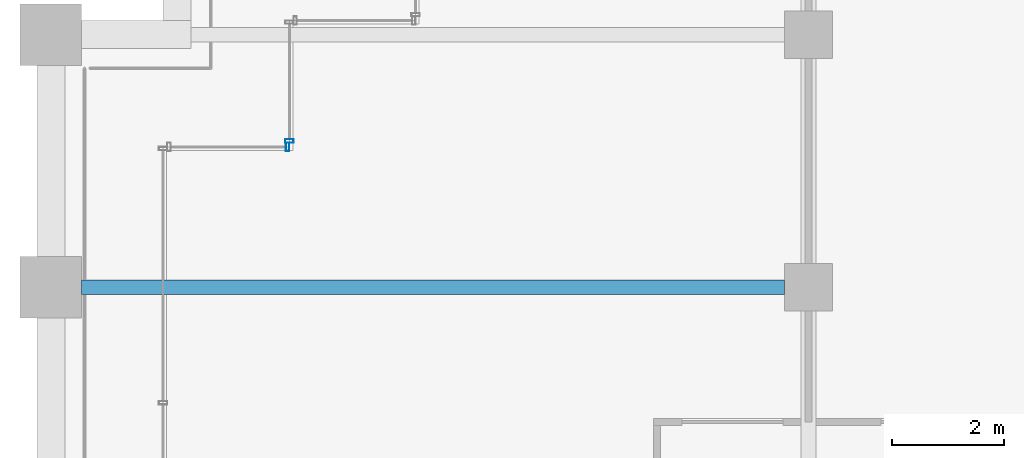
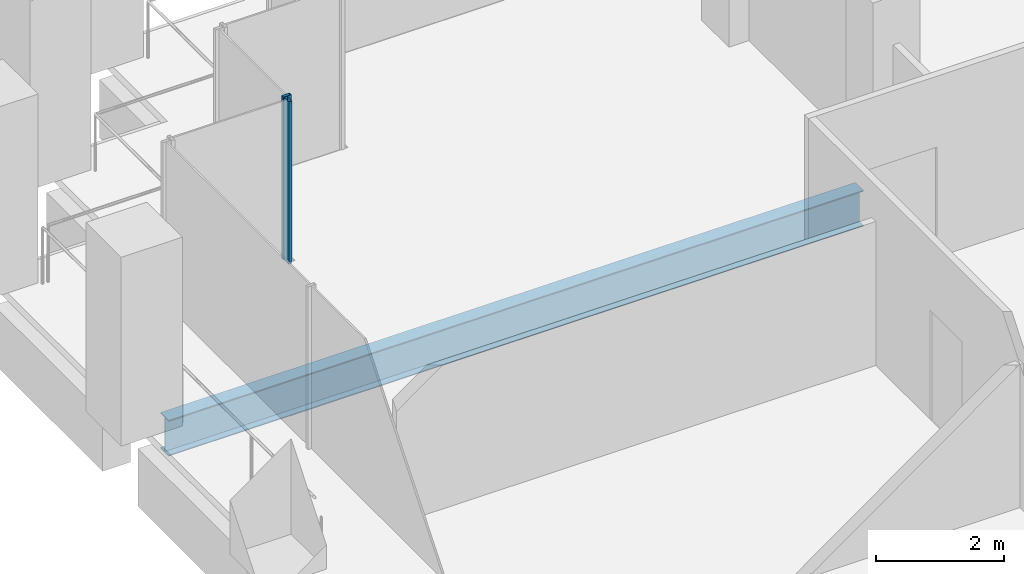
# One storey, part 24 of 56: 2 members, 1 beam, 2 elements without a shape of their own.
"""IFC4 building model written with IfcOpenShell, lengths in metres."""

from ifc_helpers import new_model, si_unit, direction, frame, origin, origin_2d, place, context, subcontext, project, spatial, hollow_rectangle, i_section, extrude, material, material_profile, profile_set, type_object, element, aggregate, save


model = new_model("IFC4")

# Units and contexts
model_context = context("Model", 3, precision=1e-05, world=origin(), true_north=direction((0.0, 1.0)))
body_context = subcontext(model_context, "Body", "Model", "MODEL_VIEW")
ifc_project = project(units=[si_unit("LENGTHUNIT", "METRE"), si_unit("AREAUNIT", "SQUARE_METRE"), si_unit("VOLUMEUNIT", "CUBIC_METRE"), si_unit("PLANEANGLEUNIT", "RADIAN"), si_unit("MASSUNIT", "GRAM", prefix="KILO")], contexts=[model_context])

# Site, building, storey
site_placement = place(None, origin())
site = spatial("IfcSite", under=ifc_project, at=site_placement, CompositionType="ELEMENT")
building_placement = place(site_placement, origin())
building = spatial("IfcBuilding", under=site, at=building_placement, Name="Altepetl Exchange Towers", CompositionType="ELEMENT")
storey_placement = place(building_placement, frame((0.0, 0.0, 54.60009765625)))
storey = spatial("IfcBuildingStorey", under=building, at=storey_placement, Name="L12", CompositionType="ELEMENT", Elevation=54.60009765625)

# Beam
ifc_material_1 = material(Name="Steel S355", Category="steel")
ifc_material_profile_1 = material_profile(ifc_material_1, i_section(OverallWidth=0.25390625, OverallDepth=0.68408203125, WebThickness=0.012451171875, FlangeThickness=0.018798828125, at=origin_2d()), Name="W27X94")
ifc_profile_set_1 = profile_set([ifc_material_profile_1], Name="Steel S355")
beam_type = type_object("IfcBeamType", Name="Floor beam W27X94", PredefinedType="BEAM", material=ifc_profile_set_1)
beam_placement = place(storey_placement, frame((27.550048828125, 63.0, -0.4921875), z_axis=(1.0, 0.0, 0.0), x_axis=(0.0, 1.0, 0.0)))
element("IfcBeam", 1, at=beam_placement, inside=storey, type_object=beam_type, Name="bm:A:L12:022", PredefinedType="BEAM", context=body_context, shape_type="SweptSolid", body=[
    extrude(i_section(OverallWidth=0.25390625, OverallDepth=0.68408203125, WebThickness=0.012451171875, FlangeThickness=0.018798828125, at=origin_2d()), origin(), (0.0, 0.0, 1.0), 12.52490234375),
])

# Curtain wall, member
ifc_material_2 = material(Name="Aluminium 6063-T6 glazing", Category="aluminium")
curtain_wall_type = type_object("IfcCurtainWallType", Name="Loggia glazing system", PredefinedType="NOTDEFINED", material=ifc_material_2)
curtain_wall_1_placement = place(storey_placement, origin())
curtain_wall_1 = element("IfcCurtainWall", 2, at=curtain_wall_1_placement, inside=storey, type_object=curtain_wall_type, Name="CW1 run", PredefinedType="NOTDEFINED")
ifc_material_3 = material(Name="Aluminium 6063-T6", Category="aluminium")
ifc_material_profile_2 = material_profile(ifc_material_3, hollow_rectangle(XDim=0.06005859375, YDim=0.14990234375, WallThickness=0.0029296875, at=origin_2d()), Name="Mullion 60x150 aluminium")
ifc_profile_set_2 = profile_set([ifc_material_profile_2], Name="Aluminium 6063-T6")
member_type = type_object("IfcMemberType", Name="Mullion 60x150 aluminium", PredefinedType="MULLION", material=ifc_profile_set_2)
member_1_placement = place(storey_placement, frame((31.219970703125, 65.5, 0.0), z_axis=(0.0, 0.0, 1.0), x_axis=(-1.0, 0.0, 0.0)))
member_1 = element("IfcMember", 3, at=member_1_placement, type_object=member_type, Name="MU1 mullion", PredefinedType="MULLION", context=body_context, shape_type="SweptSolid", body=[
    extrude(hollow_rectangle(XDim=0.06005859375, YDim=0.14990234375, WallThickness=0.0029296875, at=origin_2d()), origin(), (0.0, 0.0, 1.0), 3.099853515625),
])
aggregate(curtain_wall_1, [member_1])

curtain_wall_2_placement = place(storey_placement, origin())
curtain_wall_2 = element("IfcCurtainWall", 4, at=curtain_wall_2_placement, inside=storey, type_object=curtain_wall_type, Name="CW1 run", PredefinedType="NOTDEFINED")
member_2_placement = place(storey_placement, frame((31.25, 65.60498046875, 0.0), z_axis=(0.0, 0.0, 1.0), x_axis=(0.0, -1.0, 0.0)))
member_2 = element("IfcMember", 5, at=member_2_placement, type_object=member_type, Name="MU1 mullion", PredefinedType="MULLION", context=body_context, shape_type="SweptSolid", body=[
    extrude(hollow_rectangle(XDim=0.06005859375, YDim=0.14990234375, WallThickness=0.0029296875, at=origin_2d()), origin(), (0.0, 0.0, 1.0), 3.099853515625),
])
aggregate(curtain_wall_2, [member_2])

save(model, "model.ifc")
